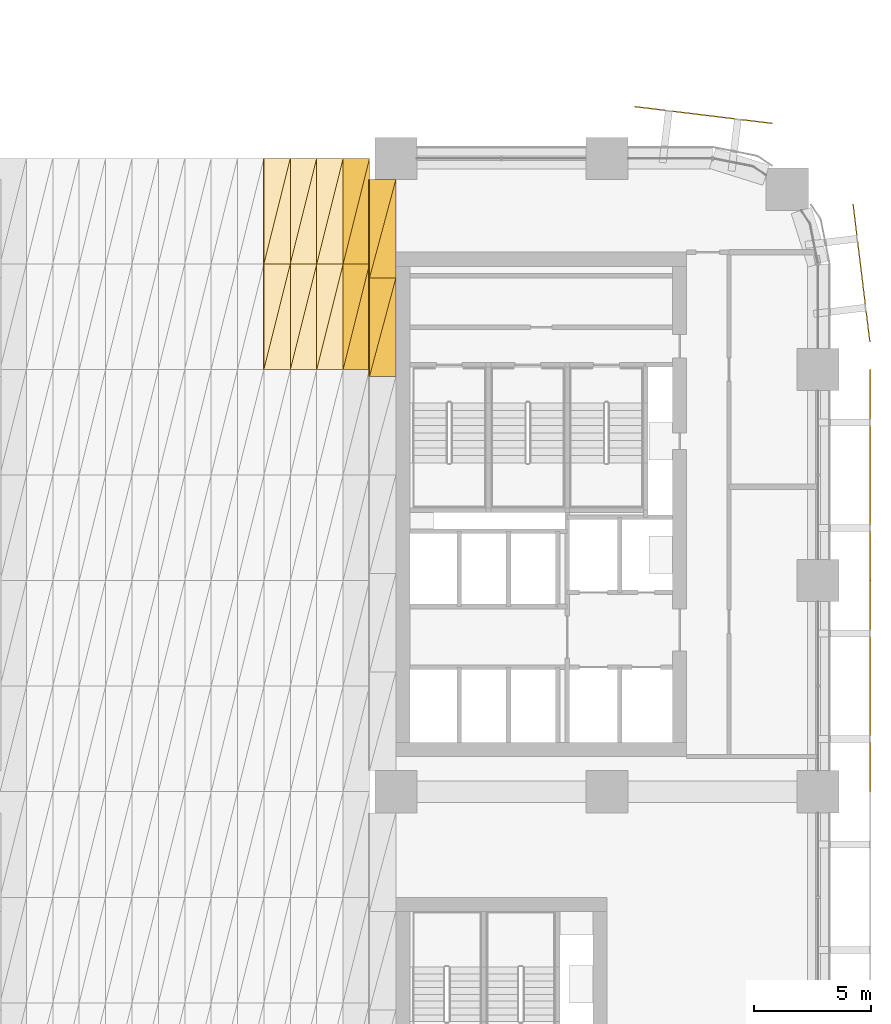
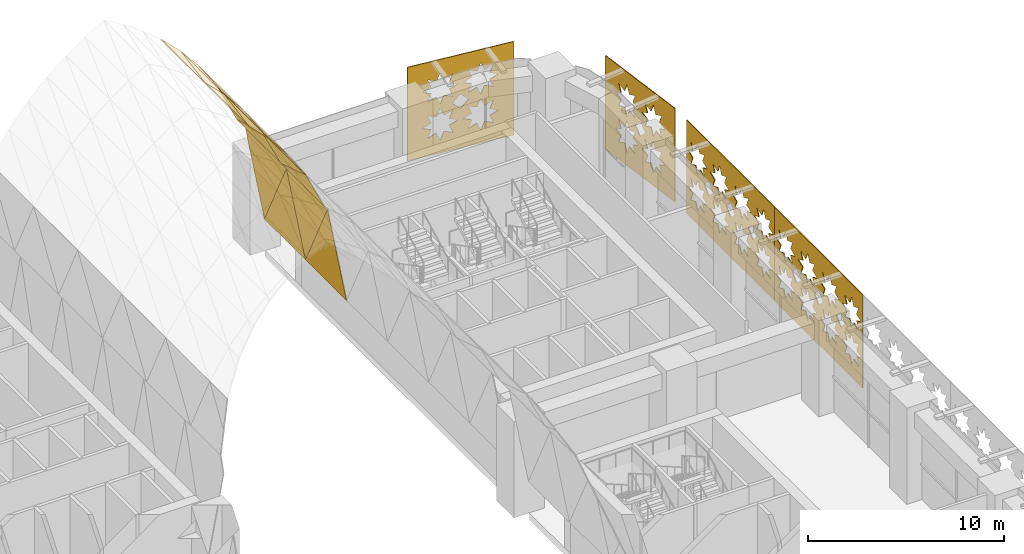
# One storey, part 46 of 46: 24 coverings.
"""IFC4 building model written with IfcOpenShell, lengths in metres."""

from ifc_helpers import new_model, si_unit, direction, frame, origin, place, context, subcontext, project, spatial, polyline, outline, extrude, material, layer, layer_set, type_object, element, save


model = new_model("IFC4")

# Units and contexts
model_context = context("Model", 3, precision=1e-05, world=origin(), true_north=direction((0.0, 1.0)))
body_context = subcontext(model_context, "Body", "Model", "MODEL_VIEW")
ifc_project = project(units=[si_unit("LENGTHUNIT", "METRE"), si_unit("AREAUNIT", "SQUARE_METRE"), si_unit("VOLUMEUNIT", "CUBIC_METRE"), si_unit("PLANEANGLEUNIT", "RADIAN"), si_unit("MASSUNIT", "GRAM", prefix="KILO")], contexts=[model_context])

# Site, building, storey
site_placement = place(None, origin())
site = spatial("IfcSite", under=ifc_project, at=site_placement, CompositionType="ELEMENT")
building_placement = place(site_placement, origin())
building = spatial("IfcBuilding", under=site, at=building_placement, Name="Tessera Arch", CompositionType="ELEMENT")
storey_placement = place(building_placement, frame((0.0, 0.0, 8.0)))
storey = spatial("IfcBuildingStorey", under=building, at=storey_placement, Name="L01", CompositionType="ELEMENT", Elevation=8.0)

# Coverings
ifc_material_1 = material(Name="Aluminium cladding pale metal anodised", Category="aluminium")
ifc_layer_1 = layer(ifc_material_1, 0.050048828125)
ifc_layer_set_1 = layer_set([ifc_layer_1], Name="Arch soffit panel")
covering_type_1 = type_object("IfcCoveringType", Name="Arch soffit panel", PredefinedType="CLADDING", material=ifc_layer_set_1)
covering_1_placement = place(storey_placement, frame((30.375, 45.0, 14.6337890625), z_axis=(0.70300502251, 0.0, 0.711184883364), x_axis=(0.711184883364, 0.0, -0.70300502251)))
element("IfcCovering", 1, at=covering_1_placement, inside=storey, type_object=covering_type_1, Name="Arch soffit panel 12-11-1", PredefinedType="CLADDING", context=body_context, shape_type="SweptSolid", body=[
    extrude(outline(polyline([(0.0, 0.0), (1.5818671435730385, 0.0), (1.5818671435730385, 4.5), (0.0, 0.0)])), origin(), (0.0, 0.0, -1.0), 0.050048828125),
])
covering_2_placement = place(storey_placement, frame((30.375, 45.0, 14.6337890625), z_axis=(0.70300502251, 0.0, 0.711184883364), x_axis=(0.235852147397, 0.943408589587, -0.233139438236)))
element("IfcCovering", 2, at=covering_2_placement, inside=storey, type_object=covering_type_1, Name="Arch soffit panel 12-11-2", PredefinedType="CLADDING", context=body_context, shape_type="SweptSolid", body=[
    extrude(outline(polyline([(0.0, 0.0), (4.769937490147635, 0.0), (4.245338653143071, 1.4923470508328087), (0.0, 0.0)])), origin(), (0.0, 0.0, -1.0), 0.050048828125),
])
covering_3_placement = place(storey_placement, frame((30.375, 49.5, 14.6337890625), z_axis=(0.70300502251, 0.0, 0.711184883364), x_axis=(0.711184883364, 0.0, -0.70300502251)))
element("IfcCovering", 3, at=covering_3_placement, inside=storey, type_object=covering_type_1, Name="Arch soffit panel 12-12-1", PredefinedType="CLADDING", context=body_context, shape_type="SweptSolid", body=[
    extrude(outline(polyline([(0.0, 0.0), (1.5818671435730385, 0.0), (1.5818671435730385, 4.5), (0.0, 0.0)])), origin(), (0.0, 0.0, -1.0), 0.050048828125),
])
covering_4_placement = place(storey_placement, frame((30.375, 49.5, 14.6337890625), z_axis=(0.70300502251, 0.0, 0.711184883364), x_axis=(0.235852147397, 0.943408589587, -0.233139438236)))
element("IfcCovering", 4, at=covering_4_placement, inside=storey, type_object=covering_type_1, Name="Arch soffit panel 12-12-2", PredefinedType="CLADDING", context=body_context, shape_type="SweptSolid", body=[
    extrude(outline(polyline([(0.0, 0.0), (4.769937490147635, 0.0), (4.245338653143071, 1.4923470508328087), (0.0, 0.0)])), origin(), (0.0, 0.0, -1.0), 0.050048828125),
])
covering_5_placement = place(storey_placement, frame((31.5, 45.0, 13.521728515625), z_axis=(0.769435590456, 0.0, 0.638724410164), x_axis=(0.638724410164, 0.0, -0.769435590456)))
element("IfcCovering", 5, at=covering_5_placement, inside=storey, type_object=covering_type_1, Name="Arch soffit panel 13-11-1", PredefinedType="CLADDING", context=body_context, shape_type="SweptSolid", body=[
    extrude(outline(polyline([(0.0, 0.0), (1.7613230089496987, 0.0), (1.7613230089496987, 4.5), (0.0, 0.0)])), origin(), (0.0, 0.0, -1.0), 0.050048828125),
])
covering_6_placement = place(storey_placement, frame((31.5, 45.0, 13.521728515625), z_axis=(0.769435590456, 0.0, 0.638724410164), x_axis=(0.232802733554, 0.931210934214, -0.280444438793)))
element("IfcCovering", 6, at=covering_6_placement, inside=storey, type_object=covering_type_1, Name="Arch soffit panel 13-11-2", PredefinedType="CLADDING", context=body_context, shape_type="SweptSolid", body=[
    extrude(outline(polyline([(0.0, 0.0), (4.832417484226257, 2.220446049250313e-16), (4.190449203964491, 1.640163244617246), (0.0, 0.0)])), origin(), (0.0, 0.0, -1.0), 0.050048828125),
])
covering_7_placement = place(storey_placement, frame((31.5, 49.5, 13.521728515625), z_axis=(0.769435590456, 0.0, 0.638724410164), x_axis=(0.638724410164, 0.0, -0.769435590456)))
element("IfcCovering", 7, at=covering_7_placement, inside=storey, type_object=covering_type_1, Name="Arch soffit panel 13-12-1", PredefinedType="CLADDING", context=body_context, shape_type="SweptSolid", body=[
    extrude(outline(polyline([(0.0, 0.0), (1.7613230089496987, 0.0), (1.7613230089496987, 4.5), (0.0, 0.0)])), origin(), (0.0, 0.0, -1.0), 0.050048828125),
])
covering_8_placement = place(storey_placement, frame((31.5, 49.5, 13.521728515625), z_axis=(0.769435590456, 0.0, 0.638724410164), x_axis=(0.232802733554, 0.931210934214, -0.280444438793)))
element("IfcCovering", 8, at=covering_8_placement, inside=storey, type_object=covering_type_1, Name="Arch soffit panel 13-12-2", PredefinedType="CLADDING", context=body_context, shape_type="SweptSolid", body=[
    extrude(outline(polyline([(0.0, 0.0), (4.832417484226257, 2.220446049250313e-16), (4.190449203964491, 1.640163244617246), (0.0, 0.0)])), origin(), (0.0, 0.0, -1.0), 0.050048828125),
])
covering_9_placement = place(storey_placement, frame((32.625, 45.0, 12.16650390625), z_axis=(0.836058150895, 0.0, 0.548640837272), x_axis=(0.548640837272, 0.0, -0.836058150895)))
element("IfcCovering", 9, at=covering_9_placement, inside=storey, type_object=covering_type_1, Name="Arch soffit panel 14-11-1", PredefinedType="CLADDING", context=body_context, shape_type="SweptSolid", body=[
    extrude(outline(polyline([(0.0, 0.0), (2.050521805110356, 0.0), (2.050521805110356, 4.500000000000001), (0.0, 0.0)])), origin(), (0.0, 0.0, -1.0), 0.050048828125),
])
covering_10_placement = place(storey_placement, frame((32.625, 45.0, 12.16650390625), z_axis=(0.836058150895, 0.0, 0.548640837272), x_axis=(0.227495016996, 0.909980067983, -0.346673179111)))
element("IfcCovering", 10, at=covering_10_placement, inside=storey, type_object=covering_type_1, Name="Arch soffit panel 14-11-2", PredefinedType="CLADDING", context=body_context, shape_type="SweptSolid", body=[
    extrude(outline(polyline([(0.0, 0.0), (4.945163260523664, 0.0), (4.094910305924995, 1.8659339716156267), (0.0, 0.0)])), origin(), (0.0, 0.0, -1.0), 0.050048828125),
])
covering_11_placement = place(storey_placement, frame((32.625, 49.5, 12.16650390625), z_axis=(0.836058150895, 0.0, 0.548640837272), x_axis=(0.548640837272, 0.0, -0.836058150895)))
element("IfcCovering", 11, at=covering_11_placement, inside=storey, type_object=covering_type_1, Name="Arch soffit panel 14-12-1", PredefinedType="CLADDING", context=body_context, shape_type="SweptSolid", body=[
    extrude(outline(polyline([(0.0, 0.0), (2.050521805110356, 0.0), (2.050521805110356, 4.500000000000001), (0.0, 0.0)])), origin(), (0.0, 0.0, -1.0), 0.050048828125),
])
covering_12_placement = place(storey_placement, frame((32.625, 49.5, 12.16650390625), z_axis=(0.836058150895, 0.0, 0.548640837272), x_axis=(0.227495016996, 0.909980067983, -0.346673179111)))
element("IfcCovering", 12, at=covering_12_placement, inside=storey, type_object=covering_type_1, Name="Arch soffit panel 14-12-2", PredefinedType="CLADDING", context=body_context, shape_type="SweptSolid", body=[
    extrude(outline(polyline([(0.0, 0.0), (4.945163260523664, 0.0), (4.094910305924995, 1.8659339716156267), (0.0, 0.0)])), origin(), (0.0, 0.0, -1.0), 0.050048828125),
])
covering_13_placement = place(storey_placement, frame((33.75, 45.0, 10.4521484375), z_axis=(0.903430696756, 0.0, 0.428734155577), x_axis=(0.428734155577, 0.0, -0.903430696756)))
element("IfcCovering", 13, at=covering_13_placement, inside=storey, type_object=covering_type_1, Name="Arch soffit panel 15-11-1", PredefinedType="CLADDING", context=body_context, shape_type="SweptSolid", body=[
    extrude(outline(polyline([(0.0, 0.0), (2.624003675391368, 0.0), (2.624003675391368, 4.500000000000001), (0.0, 0.0)])), origin(), (0.0, 0.0, -1.0), 0.050048828125),
])
covering_14_placement = place(storey_placement, frame((33.75, 45.0, 10.4521484375), z_axis=(0.903430696756, 0.0, 0.428734155577), x_axis=(0.215965533365, 0.863862133459, -0.455083621739)))
element("IfcCovering", 14, at=covering_14_placement, inside=storey, type_object=covering_type_1, Name="Arch soffit panel 15-11-2", PredefinedType="CLADDING", context=body_context, shape_type="SweptSolid", body=[
    extrude(outline(polyline([(0.0, 0.0), (5.209164548031422, 0.0), (3.887379600564281, 2.2667774132271337), (0.0, 0.0)])), origin(), (0.0, 0.0, -1.0), 0.050048828125),
])
covering_15_placement = place(storey_placement, frame((33.75, 49.5, 10.4521484375), z_axis=(0.903430696756, 0.0, 0.428734155577), x_axis=(0.428734155577, 0.0, -0.903430696756)))
element("IfcCovering", 15, at=covering_15_placement, inside=storey, type_object=covering_type_1, Name="Arch soffit panel 15-12-1", PredefinedType="CLADDING", context=body_context, shape_type="SweptSolid", body=[
    extrude(outline(polyline([(0.0, 0.0), (2.624003675391368, 0.0), (2.624003675391368, 4.500000000000001), (0.0, 0.0)])), origin(), (0.0, 0.0, -1.0), 0.050048828125),
])
covering_16_placement = place(storey_placement, frame((33.75, 49.5, 10.4521484375), z_axis=(0.903430696756, 0.0, 0.428734155577), x_axis=(0.215965533365, 0.863862133459, -0.455083621739)))
element("IfcCovering", 16, at=covering_16_placement, inside=storey, type_object=covering_type_1, Name="Arch soffit panel 15-12-2", PredefinedType="CLADDING", context=body_context, shape_type="SweptSolid", body=[
    extrude(outline(polyline([(0.0, 0.0), (5.209164548031422, 0.0), (3.887379600564281, 2.2667774132271337), (0.0, 0.0)])), origin(), (0.0, 0.0, -1.0), 0.050048828125),
])
covering_17_placement = place(storey_placement, frame((34.875, 44.699951171875, 8.08154296875), z_axis=(0.98331706381, 0.0, 0.181899840628), x_axis=(0.181899840628, 0.0, -0.98331706381)))
element("IfcCovering", 17, at=covering_17_placement, inside=storey, type_object=covering_type_1, Name="Arch soffit panel 16-11-1", PredefinedType="CLADDING", context=body_context, shape_type="SweptSolid", body=[
    extrude(outline(polyline([(0.0, 0.0), (6.184722296170829, 0.0), (6.184722296170829, 4.199951171875), (0.0, 0.0)])), origin(), (0.0, 0.0, -1.0), 0.050048828125),
])
covering_18_placement = place(storey_placement, frame((34.875, 44.699951171875, 8.08154296875), z_axis=(0.98331706381, 0.0, 0.181899840628), x_axis=(0.150481805158, 0.561792207927, -0.81347694585)))
element("IfcCovering", 18, at=covering_18_placement, inside=storey, type_object=covering_type_1, Name="Arch soffit panel 16-11-2", PredefinedType="CLADDING", context=body_context, shape_type="SweptSolid", body=[
    extrude(outline(polyline([(0.0, 0.0), (7.475986873108242, 4.440892098500626e-16), (2.3594998420322653, 3.474528794179709), (0.0, 0.0)])), origin(), (0.0, 0.0, -1.0), 0.050048828125),
])
covering_19_placement = place(storey_placement, frame((34.875, 48.89990234375, 8.08154296875), z_axis=(0.98331706381, 0.0, 0.181899840628), x_axis=(0.181899840628, 0.0, -0.98331706381)))
element("IfcCovering", 19, at=covering_19_placement, inside=storey, type_object=covering_type_1, Name="Arch soffit panel 16-12-1", PredefinedType="CLADDING", context=body_context, shape_type="SweptSolid", body=[
    extrude(outline(polyline([(0.0, 0.0), (6.184722296170829, 0.0), (6.184722296170829, 4.200195312500001), (0.0, 0.0)])), origin(), (0.0, 0.0, -1.0), 0.050048828125),
])
covering_20_placement = place(storey_placement, frame((34.875, 48.89990234375, 8.08154296875), z_axis=(0.98331706381, 0.0, 0.181899840628), x_axis=(0.150479044377, 0.561814557175, -0.813462021578)))
element("IfcCovering", 20, at=covering_20_placement, inside=storey, type_object=covering_type_1, Name="Arch soffit panel 16-12-2", PredefinedType="CLADDING", context=body_context, shape_type="SweptSolid", body=[
    extrude(outline(polyline([(0.0, 0.0), (7.47612403213721, 4.440892098500626e-16), (2.3597308695403933, 3.4746670180731147), (0.0, 0.0)])), origin(), (0.0, 0.0, -1.0), 0.050048828125),
])
ifc_material_2 = material(Name="Anodised aluminium pale metal", Category="aluminium")
ifc_layer_2 = layer(ifc_material_2, 0.050048828125)
ifc_layer_set_2 = layer_set([ifc_layer_2], Name="Base lattice panel pale metal")
covering_type_2 = type_object("IfcCoveringType", Name="Base lattice panel pale metal", PredefinedType="CLADDING", material=ifc_layer_set_2)
covering_21_placement = place(storey_placement, frame((56.199951171875, 27.0, 6.0), z_axis=(-1.0, 0.0, 0.0), x_axis=(0.0, 1.0, 0.0)))
element("IfcCovering", 21, at=covering_21_placement, inside=storey, type_object=covering_type_2, Name="Base lattice panel E54.0/2 L01", PredefinedType="CLADDING", context=body_context, shape_type="SweptSolid", body=[
    extrude(outline(polyline([(0.0, 0.0), (9.0, 0.0), (9.0, 5.840087890625), (0.0, 5.840087890625), (0.0, 0.0)]), holes=[polyline([(2.114990234375, 4.044921875), (1.6240234375, 3.837890625), (1.824951171875, 3.344970703125), (1.33203125, 3.5458984375), (1.125, 3.054931640625), (0.91796875, 3.5458984375), (0.425048828125, 3.344970703125), (0.6259765625, 3.837890625), (0.135009765625, 4.044921875), (0.6259765625, 4.251953125), (0.425048828125, 4.7451171875), (0.91796875, 4.5439453125), (1.125, 5.034912109375), (1.33203125, 4.5439453125), (1.824951171875, 4.7451171875), (1.6240234375, 4.251953125), (2.114990234375, 4.044921875)]), polyline([(2.114990234375, 1.794921875), (1.6240234375, 1.587890625), (1.824951171875, 1.094970703125), (1.33203125, 1.2958984375), (1.125, 0.804931640625), (0.91796875, 1.2958984375), (0.425048828125, 1.094970703125), (0.6259765625, 1.587890625), (0.135009765625, 1.794921875), (0.6259765625, 2.001953125), (0.425048828125, 2.4951171875), (0.91796875, 2.2939453125), (1.125, 2.784912109375), (1.33203125, 2.2939453125), (1.824951171875, 2.4951171875), (1.6240234375, 2.001953125), (2.114990234375, 1.794921875)]), polyline([(4.364990234375, 4.044921875), (3.8740234375, 3.837890625), (4.074951171875, 3.344970703125), (3.58203125, 3.5458984375), (3.375, 3.054931640625), (3.16796875, 3.5458984375), (2.675048828125, 3.344970703125), (2.8759765625, 3.837890625), (2.385009765625, 4.044921875), (2.8759765625, 4.251953125), (2.675048828125, 4.7451171875), (3.16796875, 4.5439453125), (3.375, 5.034912109375), (3.58203125, 4.5439453125), (4.074951171875, 4.7451171875), (3.8740234375, 4.251953125), (4.364990234375, 4.044921875)]), polyline([(4.364990234375, 1.794921875), (3.8740234375, 1.587890625), (4.074951171875, 1.094970703125), (3.58203125, 1.2958984375), (3.375, 0.804931640625), (3.16796875, 1.2958984375), (2.675048828125, 1.094970703125), (2.8759765625, 1.587890625), (2.385009765625, 1.794921875), (2.8759765625, 2.001953125), (2.675048828125, 2.4951171875), (3.16796875, 2.2939453125), (3.375, 2.784912109375), (3.58203125, 2.2939453125), (4.074951171875, 2.4951171875), (3.8740234375, 2.001953125), (4.364990234375, 1.794921875)]), polyline([(6.614990234375, 4.044921875), (6.1240234375, 3.837890625), (6.324951171875, 3.344970703125), (5.83203125, 3.5458984375), (5.625, 3.054931640625), (5.41796875, 3.5458984375), (4.925048828125, 3.344970703125), (5.1259765625, 3.837890625), (4.635009765625, 4.044921875), (5.1259765625, 4.251953125), (4.925048828125, 4.7451171875), (5.41796875, 4.5439453125), (5.625, 5.034912109375), (5.83203125, 4.5439453125), (6.324951171875, 4.7451171875), (6.1240234375, 4.251953125), (6.614990234375, 4.044921875)]), polyline([(6.614990234375, 1.794921875), (6.1240234375, 1.587890625), (6.324951171875, 1.094970703125), (5.83203125, 1.2958984375), (5.625, 0.804931640625), (5.41796875, 1.2958984375), (4.925048828125, 1.094970703125), (5.1259765625, 1.587890625), (4.635009765625, 1.794921875), (5.1259765625, 2.001953125), (4.925048828125, 2.4951171875), (5.41796875, 2.2939453125), (5.625, 2.784912109375), (5.83203125, 2.2939453125), (6.324951171875, 2.4951171875), (6.1240234375, 2.001953125), (6.614990234375, 1.794921875)]), polyline([(8.864990234375, 4.044921875), (8.3740234375, 3.837890625), (8.574951171875, 3.344970703125), (8.08203125, 3.5458984375), (7.875, 3.054931640625), (7.66796875, 3.5458984375), (7.175048828125, 3.344970703125), (7.3759765625, 3.837890625), (6.885009765625, 4.044921875), (7.3759765625, 4.251953125), (7.175048828125, 4.7451171875), (7.66796875, 4.5439453125), (7.875, 5.034912109375), (8.08203125, 4.5439453125), (8.574951171875, 4.7451171875), (8.3740234375, 4.251953125), (8.864990234375, 4.044921875)]), polyline([(8.864990234375, 1.794921875), (8.3740234375, 1.587890625), (8.574951171875, 1.094970703125), (8.08203125, 1.2958984375), (7.875, 0.804931640625), (7.66796875, 1.2958984375), (7.175048828125, 1.094970703125), (7.3759765625, 1.587890625), (6.885009765625, 1.794921875), (7.3759765625, 2.001953125), (7.175048828125, 2.4951171875), (7.66796875, 2.2939453125), (7.875, 2.784912109375), (8.08203125, 2.2939453125), (8.574951171875, 2.4951171875), (8.3740234375, 2.001953125), (8.864990234375, 1.794921875)]), polyline([(2.699951171875, 2.919921875), (2.25, 2.469970703125), (1.800048828125, 2.919921875), (2.25, 3.3701171875), (2.699951171875, 2.919921875)]), polyline([(4.949951171875, 2.919921875), (4.5, 2.469970703125), (4.050048828125, 2.919921875), (4.5, 3.3701171875), (4.949951171875, 2.919921875)]), polyline([(7.199951171875, 2.919921875), (6.75, 2.469970703125), (6.300048828125, 2.919921875), (6.75, 3.3701171875), (7.199951171875, 2.919921875)])]), origin(), (0.0, 0.0, -1.0), 0.050048828125),
])
covering_22_placement = place(storey_placement, frame((56.199951171875, 36.0, 6.0), z_axis=(-1.0, 0.0, 0.0), x_axis=(0.0, 1.0, 0.0)))
element("IfcCovering", 22, at=covering_22_placement, inside=storey, type_object=covering_type_2, Name="Base lattice panel E54.0/3 L01", PredefinedType="CLADDING", context=body_context, shape_type="SweptSolid", body=[
    extrude(outline(polyline([(0.0, 0.0), (9.0, 0.0), (9.0, 5.840087890625), (0.0, 5.840087890625), (0.0, 0.0)]), holes=[polyline([(2.114990234375, 4.044921875), (1.6240234375, 3.837890625), (1.824951171875, 3.344970703125), (1.33203125, 3.5458984375), (1.125, 3.054931640625), (0.91796875, 3.5458984375), (0.425048828125, 3.344970703125), (0.6259765625, 3.837890625), (0.135009765625, 4.044921875), (0.6259765625, 4.251953125), (0.425048828125, 4.7451171875), (0.91796875, 4.5439453125), (1.125, 5.034912109375), (1.33203125, 4.5439453125), (1.824951171875, 4.7451171875), (1.6240234375, 4.251953125), (2.114990234375, 4.044921875)]), polyline([(2.114990234375, 1.794921875), (1.6240234375, 1.587890625), (1.824951171875, 1.094970703125), (1.33203125, 1.2958984375), (1.125, 0.804931640625), (0.91796875, 1.2958984375), (0.425048828125, 1.094970703125), (0.6259765625, 1.587890625), (0.135009765625, 1.794921875), (0.6259765625, 2.001953125), (0.425048828125, 2.4951171875), (0.91796875, 2.2939453125), (1.125, 2.784912109375), (1.33203125, 2.2939453125), (1.824951171875, 2.4951171875), (1.6240234375, 2.001953125), (2.114990234375, 1.794921875)]), polyline([(4.364990234375, 4.044921875), (3.8740234375, 3.837890625), (4.074951171875, 3.344970703125), (3.58203125, 3.5458984375), (3.375, 3.054931640625), (3.16796875, 3.5458984375), (2.675048828125, 3.344970703125), (2.8759765625, 3.837890625), (2.385009765625, 4.044921875), (2.8759765625, 4.251953125), (2.675048828125, 4.7451171875), (3.16796875, 4.5439453125), (3.375, 5.034912109375), (3.58203125, 4.5439453125), (4.074951171875, 4.7451171875), (3.8740234375, 4.251953125), (4.364990234375, 4.044921875)]), polyline([(4.364990234375, 1.794921875), (3.8740234375, 1.587890625), (4.074951171875, 1.094970703125), (3.58203125, 1.2958984375), (3.375, 0.804931640625), (3.16796875, 1.2958984375), (2.675048828125, 1.094970703125), (2.8759765625, 1.587890625), (2.385009765625, 1.794921875), (2.8759765625, 2.001953125), (2.675048828125, 2.4951171875), (3.16796875, 2.2939453125), (3.375, 2.784912109375), (3.58203125, 2.2939453125), (4.074951171875, 2.4951171875), (3.8740234375, 2.001953125), (4.364990234375, 1.794921875)]), polyline([(6.614990234375, 4.044921875), (6.1240234375, 3.837890625), (6.324951171875, 3.344970703125), (5.83203125, 3.5458984375), (5.625, 3.054931640625), (5.41796875, 3.5458984375), (4.925048828125, 3.344970703125), (5.1259765625, 3.837890625), (4.635009765625, 4.044921875), (5.1259765625, 4.251953125), (4.925048828125, 4.7451171875), (5.41796875, 4.5439453125), (5.625, 5.034912109375), (5.83203125, 4.5439453125), (6.324951171875, 4.7451171875), (6.1240234375, 4.251953125), (6.614990234375, 4.044921875)]), polyline([(6.614990234375, 1.794921875), (6.1240234375, 1.587890625), (6.324951171875, 1.094970703125), (5.83203125, 1.2958984375), (5.625, 0.804931640625), (5.41796875, 1.2958984375), (4.925048828125, 1.094970703125), (5.1259765625, 1.587890625), (4.635009765625, 1.794921875), (5.1259765625, 2.001953125), (4.925048828125, 2.4951171875), (5.41796875, 2.2939453125), (5.625, 2.784912109375), (5.83203125, 2.2939453125), (6.324951171875, 2.4951171875), (6.1240234375, 2.001953125), (6.614990234375, 1.794921875)]), polyline([(8.864990234375, 4.044921875), (8.3740234375, 3.837890625), (8.574951171875, 3.344970703125), (8.08203125, 3.5458984375), (7.875, 3.054931640625), (7.66796875, 3.5458984375), (7.175048828125, 3.344970703125), (7.3759765625, 3.837890625), (6.885009765625, 4.044921875), (7.3759765625, 4.251953125), (7.175048828125, 4.7451171875), (7.66796875, 4.5439453125), (7.875, 5.034912109375), (8.08203125, 4.5439453125), (8.574951171875, 4.7451171875), (8.3740234375, 4.251953125), (8.864990234375, 4.044921875)]), polyline([(8.864990234375, 1.794921875), (8.3740234375, 1.587890625), (8.574951171875, 1.094970703125), (8.08203125, 1.2958984375), (7.875, 0.804931640625), (7.66796875, 1.2958984375), (7.175048828125, 1.094970703125), (7.3759765625, 1.587890625), (6.885009765625, 1.794921875), (7.3759765625, 2.001953125), (7.175048828125, 2.4951171875), (7.66796875, 2.2939453125), (7.875, 2.784912109375), (8.08203125, 2.2939453125), (8.574951171875, 2.4951171875), (8.3740234375, 2.001953125), (8.864990234375, 1.794921875)]), polyline([(2.699951171875, 2.919921875), (2.25, 2.469970703125), (1.800048828125, 2.919921875), (2.25, 3.3701171875), (2.699951171875, 2.919921875)]), polyline([(4.949951171875, 2.919921875), (4.5, 2.469970703125), (4.050048828125, 2.919921875), (4.5, 3.3701171875), (4.949951171875, 2.919921875)]), polyline([(7.199951171875, 2.919921875), (6.75, 2.469970703125), (6.300048828125, 2.919921875), (6.75, 3.3701171875), (7.199951171875, 2.919921875)])]), origin(), (0.0, 0.0, -1.0), 0.050048828125),
])
covering_23_placement = place(storey_placement, frame((56.183837890625, 46.166015625, 6.0), z_axis=(-0.992656620686, -0.120966249049, 0.0), x_axis=(-0.120966249049, 0.992656620686, 0.0)))
element("IfcCovering", 23, at=covering_23_placement, inside=storey, type_object=covering_type_2, Name="Base lattice panel E54.0/4 L01", PredefinedType="CLADDING", context=body_context, shape_type="SweptSolid", body=[
    extrude(outline(polyline([(0.0, 0.0), (5.925593962252626, 0.0), (5.925593962252626, 5.840087890625), (0.0, 5.840087890625), (0.0, 0.0)]), holes=[polyline([(2.828132860395926, 4.044921875), (2.336987823767969, 3.837890625), (2.53815207532478, 3.344970703125), (2.0440693322277617, 3.5458984375), (1.8379695261883193, 3.054931640625), (1.6311131439498763, 3.5458984375), (1.1379997920839962, 3.344970703125), (1.3391640436408068, 3.837890625), (0.84801900701285, 4.044921875), (1.3391640436408068, 4.251953125), (1.1379997920839962, 4.7451171875), (1.6311131439498763, 4.5439453125), (1.8379695261883193, 5.034912109375), (2.0440693322277617, 4.5439453125), (2.53815207532478, 4.7451171875), (2.336987823767969, 4.251953125), (2.828132860395926, 4.044921875)]), polyline([(2.828132860395926, 1.794921875), (2.336987823767969, 1.587890625), (2.53815207532478, 1.094970703125), (2.0440693322277617, 1.2958984375), (1.8379695261883193, 0.804931640625), (1.6311131439498763, 1.2958984375), (1.1379997920839962, 1.094970703125), (1.3391640436408068, 1.587890625), (0.84801900701285, 1.794921875), (1.3391640436408068, 2.001953125), (1.1379997920839962, 2.4951171875), (1.6311131439498763, 2.2939453125), (1.8379695261883193, 2.784912109375), (2.0440693322277617, 2.2939453125), (2.53815207532478, 2.4951171875), (2.336987823767969, 2.001953125), (2.828132860395926, 1.794921875)]), polyline([(5.078059650855345, 4.044921875), (4.5871569620351735, 3.837890625), (4.7880788657841995, 3.344970703125), (4.294208937719319, 3.5458984375), (4.088109131679876, 3.054931640625), (3.8810399344092956, 3.5458984375), (3.3881393975755536, 3.344970703125), (3.5890908341002263, 3.837890625), (3.0979457974722693, 4.044921875), (3.5890908341002263, 4.251953125), (3.3881393975755536, 4.7451171875), (3.8810399344092956, 4.5439453125), (4.088109131679876, 5.034912109375), (4.294208937719319, 4.5439453125), (4.7880788657841995, 4.7451171875), (4.5871569620351735, 4.251953125), (5.078059650855345, 4.044921875)]), polyline([(5.078059650855345, 1.794921875), (4.5871569620351735, 1.587890625), (4.7880788657841995, 1.094970703125), (4.294208937719319, 1.2958984375), (4.088109131679876, 0.804931640625), (3.8810399344092956, 1.2958984375), (3.3881393975755536, 1.094970703125), (3.5890908341002263, 1.587890625), (3.0979457974722693, 1.794921875), (3.5890908341002263, 2.001953125), (3.3881393975755536, 2.4951171875), (3.8810399344092956, 2.2939453125), (4.088109131679876, 2.784912109375), (4.294208937719319, 2.2939453125), (4.7880788657841995, 2.4951171875), (4.5871569620351735, 2.001953125), (5.078059650855345, 1.794921875)]), polyline([(3.4130004522452033, 2.919921875), (2.96316050283799, 2.469970703125), (2.5130782056229926, 2.919921875), (2.96316050283799, 3.3701171875), (3.4130004522452033, 2.919921875)])]), origin(), (0.0, 0.0, -1.0), 0.050048828125),
])
covering_24_placement = place(storey_placement, frame((52.048095703125, 55.467041015625, 6.0), z_axis=(-0.120966249049, -0.992656620686, 0.0), x_axis=(-0.992656620686, 0.120966249049, 0.0)))
element("IfcCovering", 24, at=covering_24_placement, inside=storey, type_object=covering_type_2, Name="Base lattice panel N54.36/0 L01", PredefinedType="CLADDING", context=body_context, shape_type="SweptSolid", body=[
    extrude(outline(polyline([(0.0, 0.0), (5.925593962252626, 0.0), (5.925593962252626, 5.840087890625), (0.0, 5.840087890625), (0.0, 0.0)]), holes=[polyline([(2.8278905125881417, 4.044921875), (2.336987823767969, 3.837890625), (2.5379392602926423, 3.344970703125), (2.0440693322277617, 3.5458984375), (1.8379695261883193, 3.054931640625), (1.6308707961420916, 3.5458984375), (1.1379997920839962, 3.344970703125), (1.3389512286086689, 3.837890625), (0.84801900701285, 4.044921875), (1.3389512286086689, 4.251953125), (1.1379997920839962, 4.7451171875), (1.6308707961420916, 4.5439453125), (1.8379695261883193, 5.034912109375), (2.0440693322277617, 4.5439453125), (2.5379392602926423, 4.7451171875), (2.336987823767969, 4.251953125), (2.8278905125881417, 4.044921875)]), polyline([(2.8278905125881417, 1.794921875), (2.336987823767969, 1.587890625), (2.5379392602926423, 1.094970703125), (2.0440693322277617, 1.2958984375), (1.8379695261883193, 0.804931640625), (1.6308707961420916, 1.2958984375), (1.1379997920839962, 1.094970703125), (1.3389512286086689, 1.587890625), (0.84801900701285, 1.794921875), (1.3389512286086689, 2.001953125), (1.1379997920839962, 2.4951171875), (1.6308707961420916, 2.2939453125), (1.8379695261883193, 2.784912109375), (2.0440693322277617, 2.2939453125), (2.5379392602926423, 2.4951171875), (2.336987823767969, 2.001953125), (2.8278905125881417, 1.794921875)]), polyline([(5.078059650855345, 4.044921875), (4.586914614227389, 3.837890625), (4.788108398559846, 3.344970703125), (4.293996122687181, 3.5458984375), (4.088138664455523, 3.054931640625), (3.8810399344092956, 3.5458984375), (3.3879265825434155, 3.344970703125), (3.5890908341002263, 3.837890625), (3.0979457974722693, 4.044921875), (3.5890908341002263, 4.251953125), (3.3879265825434155, 4.7451171875), (3.8810399344092956, 4.5439453125), (4.088138664455523, 5.034912109375), (4.293996122687181, 4.5439453125), (4.788108398559846, 4.7451171875), (4.586914614227389, 4.251953125), (5.078059650855345, 4.044921875)]), polyline([(5.078059650855345, 1.794921875), (4.586914614227389, 1.587890625), (4.788108398559846, 1.094970703125), (4.293996122687181, 1.2958984375), (4.088138664455523, 0.804931640625), (3.8810399344092956, 1.2958984375), (3.3879265825434155, 1.094970703125), (3.5890908341002263, 1.587890625), (3.0979457974722693, 1.794921875), (3.5890908341002263, 2.001953125), (3.3879265825434155, 2.4951171875), (3.8810399344092956, 2.2939453125), (4.088138664455523, 2.784912109375), (4.293996122687181, 2.2939453125), (4.788108398559846, 2.4951171875), (4.586914614227389, 2.001953125), (5.078059650855345, 1.794921875)]), polyline([(3.4130004522452033, 2.919921875), (2.96316050283799, 2.469970703125), (2.5130782056229926, 2.919921875), (2.96316050283799, 3.3701171875), (3.4130004522452033, 2.919921875)])]), origin(), (0.0, 0.0, -1.0), 0.050048828125),
])

save(model, "model.ifc")
